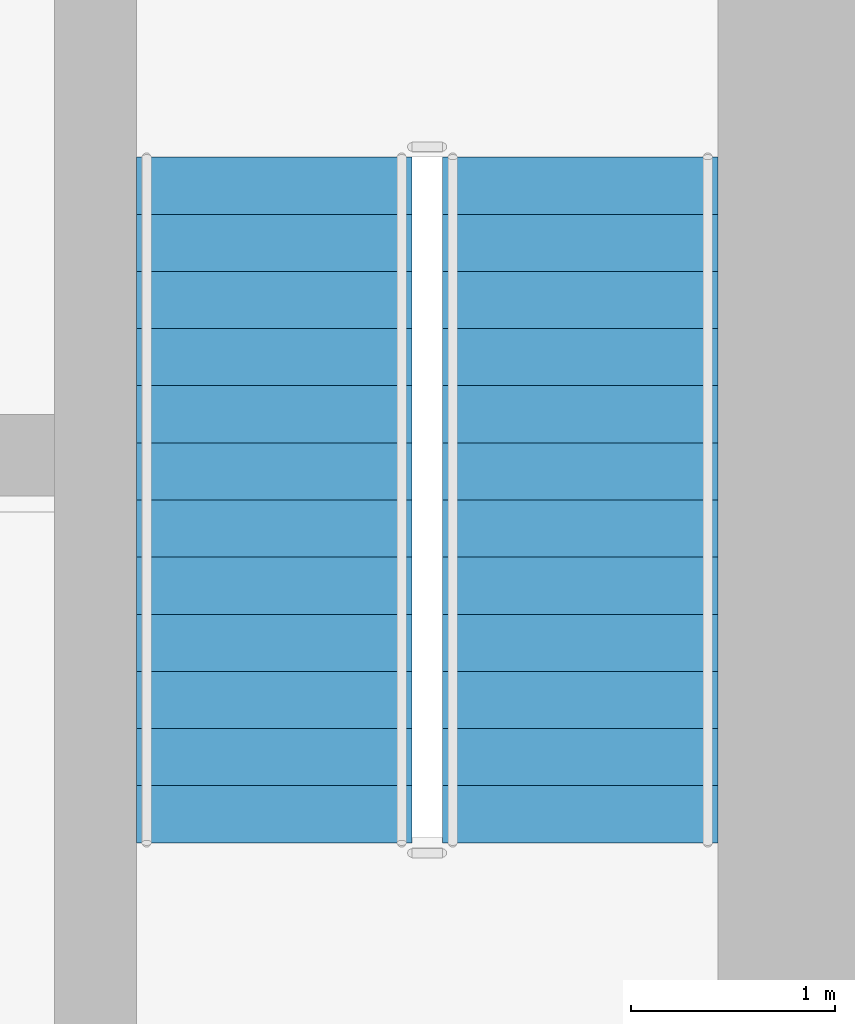
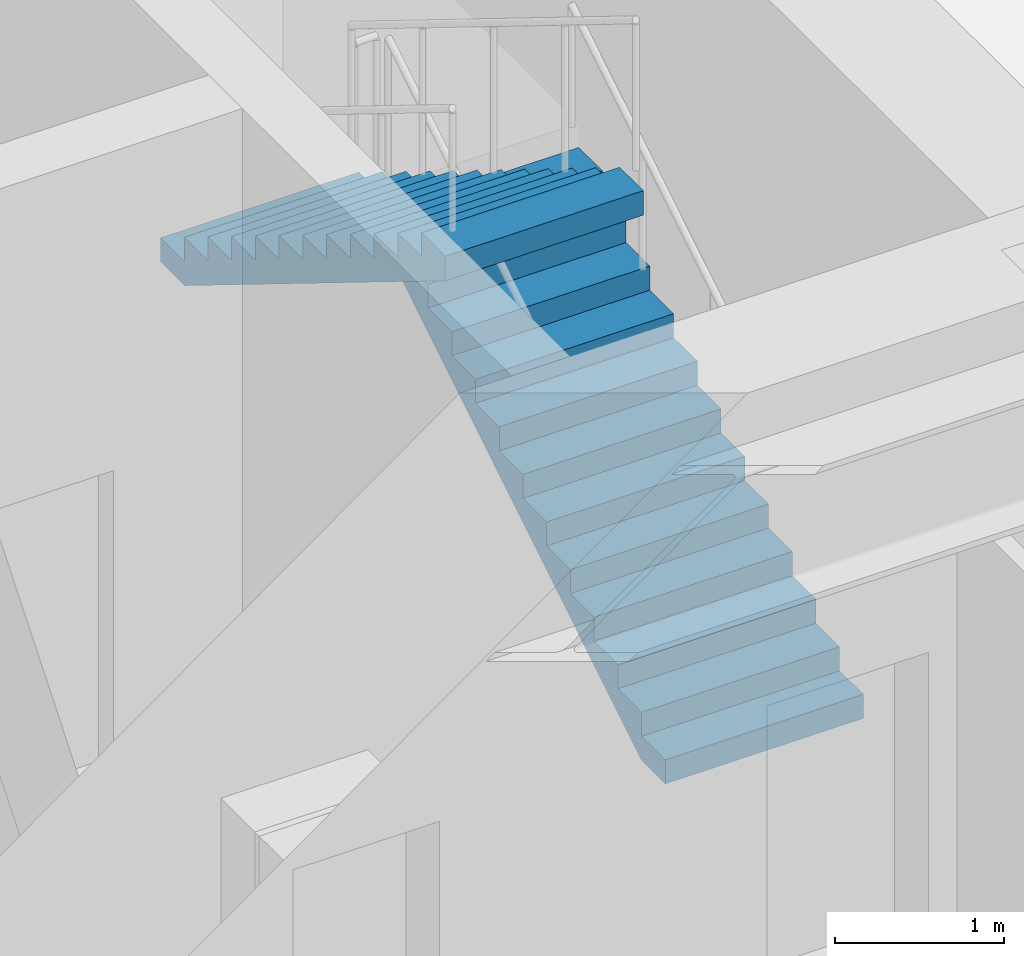
# One storey, part 28 of 30: 2 stair flights, 1 element without a shape of its own.
"""IFC4 building model written with IfcOpenShell, lengths in metres."""

from ifc_helpers import new_model, si_unit, direction, frame, origin, place, context, subcontext, project, spatial, polyline, outline, extrude, material, layer, layer_set, type_object, element, aggregate, save


model = new_model("IFC4")

# Units and contexts
model_context = context("Model", 3, precision=1e-05, world=origin(), true_north=direction((0.0, 1.0)))
body_context = subcontext(model_context, "Body", "Model", "MODEL_VIEW")
ifc_project = project(units=[si_unit("LENGTHUNIT", "METRE"), si_unit("AREAUNIT", "SQUARE_METRE"), si_unit("VOLUMEUNIT", "CUBIC_METRE"), si_unit("PLANEANGLEUNIT", "RADIAN"), si_unit("MASSUNIT", "GRAM", prefix="KILO")], contexts=[model_context])

# Site, building, storey
site_placement = place(None, origin())
site = spatial("IfcSite", under=ifc_project, at=site_placement, CompositionType="ELEMENT")
building_placement = place(site_placement, origin())
building = spatial("IfcBuilding", under=site, at=building_placement, Name="Kravanh Interchange Tower", CompositionType="ELEMENT")
storey_placement = place(building_placement, frame((0.0, 0.0, 19.800048828125)))
storey = spatial("IfcBuildingStorey", under=building, at=storey_placement, Name="L04", CompositionType="ELEMENT", Elevation=19.800048828125)

# Stair, stair flights
ifc_material_1 = material(Name="Concrete C50/60", Category="concrete")
stair_type = type_object("IfcStairType", Name="Core Fire Exit Dogleg Stair Concrete C50/60", PredefinedType="HALF_TURN_STAIR", material=ifc_material_1)
stair_placement = place(storey_placement, origin())
stair = element("IfcStair", 1, at=stair_placement, inside=storey, type_object=stair_type, Name="L04 Exit Stair ST1", PredefinedType="HALF_TURN_STAIR")
ifc_material_2 = material(Name="Precast Concrete C50/60", Category="concrete")
ifc_layer = layer(ifc_material_2, 0.199951171875)
ifc_layer_set = layer_set([ifc_layer], Name="Precast Concrete C50/60 Stair Flight 1350mm")
stair_flight_type = type_object("IfcStairFlightType", Name="Precast Concrete C50/60 Stair Flight 1350mm", PredefinedType="STRAIGHT", material=ifc_layer_set)
stair_flight_1_placement = place(storey_placement, frame((65.175048828125, 39.89990234375, 0.0), z_axis=(0.0, 0.0, 1.0), x_axis=(0.0, 1.0, 0.0)))
stair_flight_1 = element("IfcStairFlight", 2, at=stair_flight_1_placement, type_object=stair_flight_type, Name="ST1 flight 1", NumberOfRisers=13, NumberOfTreads=12, PredefinedType="STRAIGHT", RiserHeight=0.173076923, TreadLength=0.28, context=body_context, shape_type="SweptSolid", body=[
    extrude(outline(polyline([(0.0, 0.0), (0.0, 0.173095703125), (0.280029296875, 0.173095703125), (0.280029296875, 0.34619140625), (0.56005859375, 0.34619140625), (0.56005859375, 0.519287109375), (0.840087890625, 0.519287109375), (0.840087890625, 0.6923828125), (1.1201171875, 0.6923828125), (1.1201171875, 0.865478515625), (1.39990234375, 0.865478515625), (1.39990234375, 1.03857421875), (1.679931640625, 1.03857421875), (1.679931640625, 1.21142578125), (1.9599609375, 1.21142578125), (1.9599609375, 1.384521484375), (2.239990234375, 1.384521484375), (2.239990234375, 1.5576171875), (2.52001953125, 1.5576171875), (2.52001953125, 1.730712890625), (2.800048828125, 1.730712890625), (2.800048828125, 1.90380859375), (3.080078125, 1.90380859375), (3.080078125, 2.076904296875), (3.360107421875, 2.076904296875), (3.360107421875, 2.25), (3.360107421875, 1.900634765625), (0.28515625, 0.0), (0.0, 0.0)])), frame((0.0, 0.675048828125, 0.0), z_axis=(0.0, -1.0, 0.0), x_axis=(1.0, 0.0, 0.0)), (0.0, 0.0, 1.0), 1.35009765625),
])
stair_flight_2_placement = place(storey_placement, frame((63.675048828125, 43.260009765625, 2.25), z_axis=(0.0, 0.0, 1.0), x_axis=(0.0, -1.0, 0.0)))
stair_flight_2 = element("IfcStairFlight", 3, at=stair_flight_2_placement, type_object=stair_flight_type, Name="ST1 flight 2", NumberOfRisers=13, NumberOfTreads=12, PredefinedType="STRAIGHT", RiserHeight=0.173076923, TreadLength=0.28, context=body_context, shape_type="SweptSolid", body=[
    extrude(outline(polyline([(0.0, 0.0), (0.0, 0.173095703125), (0.280029296875, 0.173095703125), (0.280029296875, 0.34619140625), (0.56005859375, 0.34619140625), (0.56005859375, 0.519287109375), (0.840087890625, 0.519287109375), (0.840087890625, 0.6923828125), (1.1201171875, 0.6923828125), (1.1201171875, 0.865478515625), (1.39990234375, 0.865478515625), (1.39990234375, 1.03857421875), (1.679931640625, 1.03857421875), (1.679931640625, 1.21142578125), (1.9599609375, 1.21142578125), (1.9599609375, 1.384521484375), (2.239990234375, 1.384521484375), (2.239990234375, 1.5576171875), (2.52001953125, 1.5576171875), (2.52001953125, 1.730712890625), (2.800048828125, 1.730712890625), (2.800048828125, 1.90380859375), (3.080078125, 1.90380859375), (3.080078125, 2.076904296875), (3.360107421875, 2.076904296875), (3.360107421875, 2.25), (3.360107421875, 1.900634765625), (0.28515625, 0.0), (0.0, 0.0)])), frame((0.0, 0.675048828125, 0.0), z_axis=(0.0, -1.0, 0.0), x_axis=(1.0, 0.0, 0.0)), (0.0, 0.0, 1.0), 1.35009765625),
])
aggregate(stair, [stair_flight_1, stair_flight_2])

save(model, "model.ifc")
